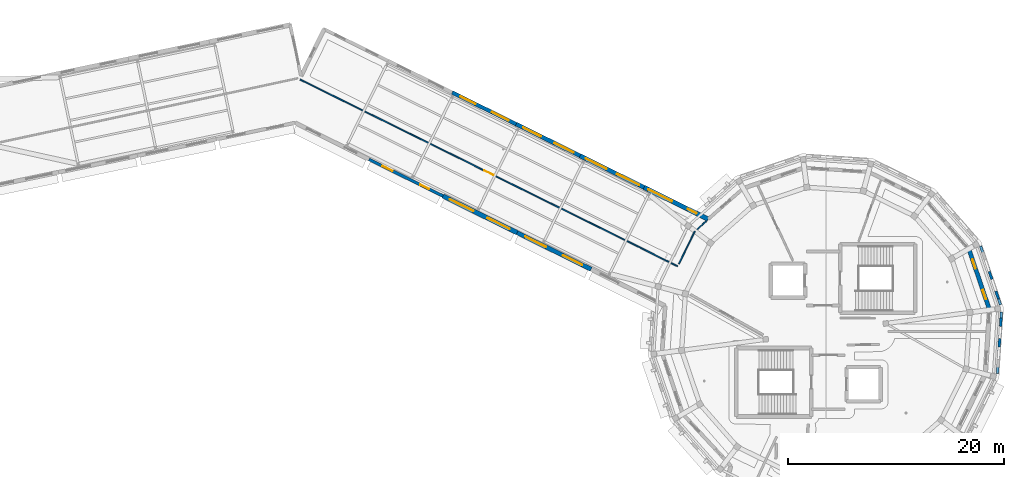
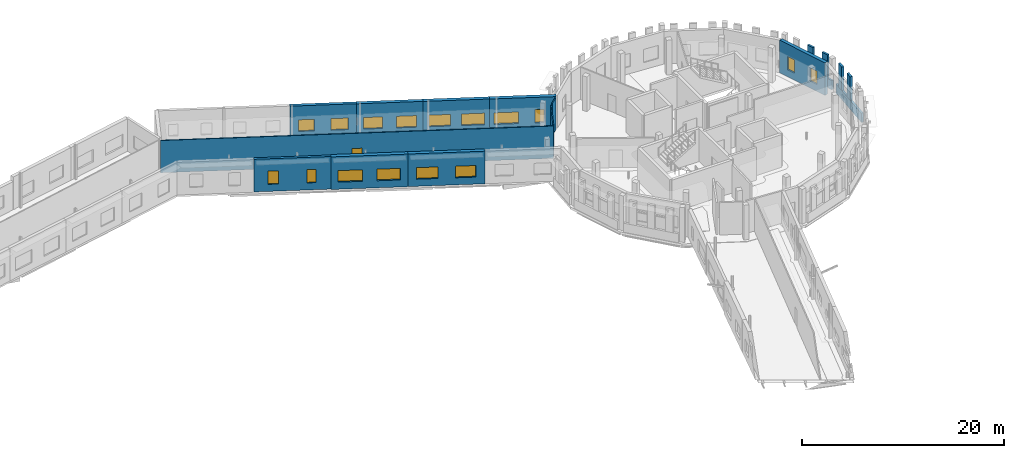
# One storey, part 70 of 90: 17 walls, 16 windows, 1 door, 17 openings.
"""IFC4 building model written with IfcOpenShell, lengths in metres."""

from ifc_helpers import new_model, si_unit, direction, frame, frame_2d, origin, place, context, subcontext, project, spatial, rectangle, extrude, material, layer, layer_set, type_object, element, fill, save


model = new_model("IFC4")

# Units and contexts
model_context = context("Model", 3, precision=1e-05, world=origin(), true_north=direction((0.0, 1.0)))
body_context = subcontext(model_context, "Body", "Model", "MODEL_VIEW")
ifc_project = project(units=[si_unit("LENGTHUNIT", "METRE"), si_unit("AREAUNIT", "SQUARE_METRE"), si_unit("VOLUMEUNIT", "CUBIC_METRE"), si_unit("PLANEANGLEUNIT", "RADIAN"), si_unit("MASSUNIT", "GRAM", prefix="KILO")], contexts=[model_context])

# Site, building, storey
site_placement = place(None, origin())
site = spatial("IfcSite", under=ifc_project, at=site_placement, CompositionType="ELEMENT")
building_placement = place(site_placement, origin())
building = spatial("IfcBuilding", under=site, at=building_placement, Name="Wrenclough Park School", CompositionType="ELEMENT")
storey_placement = place(building_placement, frame((0.0, 0.0, 8.39990234375)))
storey = spatial("IfcBuildingStorey", under=building, at=storey_placement, Name="L02", CompositionType="ELEMENT", Elevation=8.39990234375)

# Walls
ifc_material_1 = material(Name="Perforated open-bond Staffordshire and Manchester brick screen pier", Category="masonry")
ifc_layer_1 = layer(ifc_material_1, 0.2451171875)
ifc_layer_set_1 = layer_set([ifc_layer_1], Name="Perforated open-bond Staffordshire and Manchester brick screen pier")
wall_type_1 = type_object("IfcWallType", Name="ENV-BS-PR245", PredefinedType="ELEMENTEDWALL", material=ifc_layer_set_1)
wall_1_placement = place(storey_placement, frame((190.48291015625, 96.50634765625, 1.090087890625), z_axis=(0.0, 0.0, 1.0), x_axis=(-0.321332364617, 0.946966478525, 0.0)))
element("IfcWall", 1, at=wall_1_placement, inside=storey, type_object=wall_type_1, Name="D5 L02 perforated brick screen pier 0586", PredefinedType="ELEMENTEDWALL", context=body_context, shape_type="SweptSolid", body=[
    extrude(rectangle(XDim=0.759765625, YDim=0.2451171875, at=frame_2d((0.3798828125, 0.0))), origin(), (0.0, 0.0, 1.0), 2.85009765625),
])
for number, where, z_axis, x_axis, name in (
    (2, (189.86865234375, 98.315673828125, 1.090087890625), (0.0, 0.0, 1.0), (-0.32123461411, 0.946999642396, 0.0), "D5 L02 perforated brick screen pier 0587"),
    (3, (190.541748046875, 92.06787109375, 1.090087890625), (0.0, 0.0, 1.0), (0.065538124105, 0.997850066036, 0.0), "D5 L02 perforated brick screen pier 0621"),
    (4, (190.666748046875, 93.974609375, 1.090087890625), (0.0, 0.0, 1.0), (0.065538124105, 0.997850066036, 0.0), "D5 L02 perforated brick screen pier 0622"),
):
    element("IfcWall", number, at=place(storey_placement, frame(where, z_axis=z_axis, x_axis=x_axis)), inside=storey, type_object=wall_type_1, Name=name, PredefinedType="ELEMENTEDWALL", context=body_context, shape_type="SweptSolid", body=[
        extrude(rectangle(XDim=0.760009765625, YDim=0.2451171875, at=frame_2d((0.3798828125, 0.0))), origin(), (0.0, 0.0, 1.0), 2.85009765625),
    ])
ifc_material_2 = material(Name="Open-bond Manchester multi-stock brick spandrel screen", Category="masonry")
ifc_layer_2 = layer(ifc_material_2, 0.22509765625)
ifc_layer_set_2 = layer_set([ifc_layer_2], Name="Open-bond Manchester multi-stock brick spandrel screen")
wall_type_2 = type_object("IfcWallType", Name="ENV-BS-SP225", PredefinedType="ELEMENTEDWALL", material=ifc_layer_set_2)
wall_2_placement = place(storey_placement, frame((190.66796875, 95.96142578125, 0.0), z_axis=(0.0, 0.0, 1.0), x_axis=(-0.321474350277, 0.946918286925, 0.0)))
element("IfcWall", 5, at=wall_2_placement, inside=storey, type_object=wall_type_2, Name="D5 L02 open-bond brick screen spandrel 0160", PredefinedType="ELEMENTEDWALL", context=body_context, shape_type="SweptSolid", body=[
    extrude(rectangle(XDim=5.732177734375, YDim=0.22509765625, at=frame_2d((2.8662109375, 0.0))), origin(), (0.0, 0.0, 1.0), 1.090087890625),
])
wall_3_placement = place(storey_placement, frame((190.379150390625, 89.5869140625, 0.0), z_axis=(0.0, 0.0, 1.0), x_axis=(0.065416558003, 0.99785804298, 0.0)))
element("IfcWall", 6, at=wall_3_placement, inside=storey, type_object=wall_type_2, Name="D5 L02 open-bond brick screen spandrel 0172", PredefinedType="ELEMENTEDWALL", context=body_context, shape_type="SweptSolid", body=[
    extrude(rectangle(XDim=5.732421875, YDim=0.22509765625, at=frame_2d((2.8662109375, 0.0))), origin(), (0.0, 0.0, 1.0), 1.090087890625),
])

# Wall, openings, windows
ifc_material_3 = material(Name="Link wing brick-faced cavity wall Concrete C32/40", Category="masonry")
ifc_layer_3 = layer(ifc_material_3, 0.27490234375)
ifc_layer_set_3 = layer_set([ifc_layer_3], Name="Link wing brick-faced cavity wall Concrete C32/40")
wall_type_3 = type_object("IfcWallType", Name="ENV-EW-275", PredefinedType="SOLIDWALL", material=ifc_layer_set_3)
wall_4_placement = place(storey_placement, frame((139.09619140625, 106.02099609375, 0.0), z_axis=(0.0, 0.0, 1.0), x_axis=(-0.896279314912, 0.44349001078, 0.0)))
wall_4 = element("IfcWall", 7, at=wall_4_placement, inside=storey, type_object=wall_type_3, Name="L02 insulated brick external wall 0150", PredefinedType="SOLIDWALL", context=body_context, shape_type="SweptSolid", body=[
    extrude(rectangle(XDim=7.639892578125, YDim=0.27490234375, at=frame_2d((3.81982421875, 0.0))), origin(), (0.0, 0.0, 1.0), 3.940185546875),
])
opening_1_placement = place(wall_4_placement, frame((1.4599609375, 0.0, 0.85009765625)))
opening_1 = element("IfcOpeningElement", 8, at=opening_1_placement, cuts=wall_4, Name="Opening WN-13", PredefinedType="OPENING", context=body_context, shape_type="SweptSolid", body=[
    extrude(rectangle(XDim=0.89990234375, YDim=1.60009765625, at=frame_2d((0.449951171875, 0.800048828125))), frame((0.0, 0.1474609375, 0.0), z_axis=(0.0, -1.0, 0.0), x_axis=(1.0, 0.0, 0.0)), (0.0, 0.0, 1.0), 0.294921875),
])
opening_2_placement = place(wall_4_placement, frame((5.204833984375, 0.0, 0.85009765625)))
opening_2 = element("IfcOpeningElement", 9, at=opening_2_placement, cuts=wall_4, Name="Opening WN-14", PredefinedType="OPENING", context=body_context, shape_type="SweptSolid", body=[
    extrude(rectangle(XDim=1.050048828125, YDim=1.60009765625, at=frame_2d((0.52490234375, 0.800048828125))), frame((0.0, 0.1474609375, 0.0), z_axis=(0.0, -1.0, 0.0), x_axis=(1.0, 0.0, 0.0)), (0.0, 0.0, 1.0), 0.294921875),
])
ifc_material_4 = material(Name="Thermally broken aluminium and double-glazed low-e glass", Category="aluminium")
window_type_1 = type_object("IfcWindowType", Name="ENV-WN-13", PartitioningType="SINGLE_PANEL", PredefinedType="WINDOW", material=ifc_material_4)
window_1_placement = place(opening_1_placement, origin())
window_1 = element("IfcWindow", 10, at=window_1_placement, inside=storey, type_object=window_type_1, Name="L02 scheduled facade window 0236", OverallHeight=1.60009765625, OverallWidth=0.89990234375, PartitioningType="SINGLE_PANEL", PredefinedType="WINDOW", context=body_context, shape_type="SweptSolid", body=[
    extrude(rectangle(XDim=0.89990234375, YDim=1.60009765625, at=frame_2d((0.449951171875, 0.800048828125))), frame((0.0, 0.030029296875, 0.0), z_axis=(0.0, -1.0, 0.0), x_axis=(1.0, 0.0, 0.0)), (0.0, 0.0, 1.0), 0.06005859375),
])
fill(opening_1, window_1)
window_type_2 = type_object("IfcWindowType", Name="ENV-WN-14", PartitioningType="SINGLE_PANEL", PredefinedType="WINDOW", material=ifc_material_4)
window_2_placement = place(opening_2_placement, origin())
window_2 = element("IfcWindow", 11, at=window_2_placement, inside=storey, type_object=window_type_2, Name="L02 scheduled facade window 0237", OverallHeight=1.60009765625, OverallWidth=1.050048828125, PartitioningType="SINGLE_PANEL", PredefinedType="WINDOW", context=body_context, shape_type="SweptSolid", body=[
    extrude(rectangle(XDim=1.050048828125, YDim=1.60009765625, at=frame_2d((0.52490234375, 0.800048828125))), frame((0.0, 0.030029296875, 0.0), z_axis=(0.0, -1.0, 0.0), x_axis=(1.0, 0.0, 0.0)), (0.0, 0.0, 1.0), 0.06005859375),
])
fill(opening_2, window_2)

ifc_material_5 = material(Name="Staffordshire blue-grey brick and Concrete C35/45 inner leaf", Category="masonry")
ifc_layer_4 = layer(ifc_material_5, 0.35009765625)
ifc_layer_set_4 = layer_set([ifc_layer_4], Name="Staffordshire blue-grey brick and Concrete C35/45 inner leaf")
wall_type_4 = type_object("IfcWallType", Name="ENV-EW-350", PredefinedType="SOLIDWALL", material=ifc_layer_set_4)
wall_5_placement = place(storey_placement, frame((139.934814453125, 115.602783203125, 0.0), z_axis=(0.0, 0.0, 1.0), x_axis=(0.896274950862, -0.443498830277, 0.0)))
wall_5 = element("IfcWall", 12, at=wall_5_placement, inside=storey, type_object=wall_type_4, Name="L02 insulated brick external wall 0178", PredefinedType="SOLIDWALL", context=body_context, shape_type="SweptSolid", body=[
    extrude(rectangle(XDim=6.605224609375, YDim=0.35009765625, at=frame_2d((3.302734375, 0.0))), origin(), (0.0, 0.0, 1.0), 3.940185546875),
])
opening_3_placement = place(wall_5_placement, frame((0.87646484375, 0.0, 0.85009765625)))
opening_3 = element("IfcOpeningElement", 13, at=opening_3_placement, cuts=wall_5, Name="Opening WN-06", PredefinedType="OPENING", context=body_context, shape_type="SweptSolid", body=[
    extrude(rectangle(XDim=1.550048828125, YDim=1.39990234375, at=frame_2d((0.77490234375, 0.699951171875))), frame((0.0, 0.18505859375, 0.0), z_axis=(0.0, -1.0, 0.0), x_axis=(1.0, 0.0, 0.0)), (0.0, 0.0, 1.0), 0.3701171875),
])
opening_4_placement = place(wall_5_placement, frame((4.10400390625, 0.0, 0.85009765625)))
opening_4 = element("IfcOpeningElement", 14, at=opening_4_placement, cuts=wall_5, Name="Opening WN-07", PredefinedType="OPENING", context=body_context, shape_type="SweptSolid", body=[
    extrude(rectangle(XDim=1.699951171875, YDim=1.39990234375, at=frame_2d((0.85009765625, 0.699951171875))), frame((0.0, 0.18505859375, 0.0), z_axis=(0.0, -1.0, 0.0), x_axis=(1.0, 0.0, 0.0)), (0.0, 0.0, 1.0), 0.3701171875),
])
window_type_3 = type_object("IfcWindowType", Name="ENV-WN-06", PartitioningType="DOUBLE_PANEL_VERTICAL", PredefinedType="WINDOW", material=ifc_material_4)
window_3_placement = place(opening_3_placement, origin())
window_3 = element("IfcWindow", 15, at=window_3_placement, inside=storey, type_object=window_type_3, Name="L02 scheduled facade window 0285", OverallHeight=1.39990234375, OverallWidth=1.550048828125, PartitioningType="SINGLE_PANEL", PredefinedType="WINDOW", context=body_context, shape_type="SweptSolid", body=[
    extrude(rectangle(XDim=1.550048828125, YDim=1.39990234375, at=frame_2d((0.77490234375, 0.699951171875))), frame((0.0, 0.030029296875, 0.0), z_axis=(0.0, -1.0, 0.0), x_axis=(1.0, 0.0, 0.0)), (0.0, 0.0, 1.0), 0.06005859375),
])
fill(opening_3, window_3)
window_type_4 = type_object("IfcWindowType", Name="ENV-WN-07", PartitioningType="DOUBLE_PANEL_VERTICAL", PredefinedType="WINDOW", material=ifc_material_4)
window_4_placement = place(opening_4_placement, origin())
window_4 = element("IfcWindow", 16, at=window_4_placement, inside=storey, type_object=window_type_4, Name="L02 scheduled facade window 0286", OverallHeight=1.39990234375, OverallWidth=1.699951171875, PartitioningType="SINGLE_PANEL", PredefinedType="WINDOW", context=body_context, shape_type="SweptSolid", body=[
    extrude(rectangle(XDim=1.699951171875, YDim=1.39990234375, at=frame_2d((0.85009765625, 0.699951171875))), frame((0.0, 0.030029296875, 0.0), z_axis=(0.0, -1.0, 0.0), x_axis=(1.0, 0.0, 0.0)), (0.0, 0.0, 1.0), 0.06005859375),
])
fill(opening_4, window_4)

ifc_material_6 = material(Name="Manchester multi-stock brick and Concrete C35/45 inner leaf", Category="masonry")
ifc_layer_5 = layer(ifc_material_6, 0.3798828125)
ifc_layer_set_5 = layer_set([ifc_layer_5], Name="Manchester multi-stock brick and Concrete C35/45 inner leaf")
wall_type_5 = type_object("IfcWallType", Name="ENV-EW-380", PredefinedType="SOLIDWALL", material=ifc_layer_set_5)
wall_6_placement = place(storey_placement, frame((145.85498046875, 112.67333984375, 0.0), z_axis=(0.0, 0.0, 1.0), x_axis=(0.896267529062, -0.443513828814, 0.0)))
wall_6 = element("IfcWall", 17, at=wall_6_placement, inside=storey, type_object=wall_type_5, Name="L02 insulated brick external wall 0179", PredefinedType="SOLIDWALL", context=body_context, shape_type="SweptSolid", body=[
    extrude(rectangle(XDim=6.605712890625, YDim=0.3798828125, at=frame_2d((3.302734375, 0.0))), origin(), (0.0, 0.0, 1.0), 3.940185546875),
])
opening_5_placement = place(wall_6_placement, frame((0.726318359375, 0.0, 0.85009765625)))
opening_5 = element("IfcOpeningElement", 18, at=opening_5_placement, cuts=wall_6, Name="Opening WN-08", PredefinedType="OPENING", context=body_context, shape_type="SweptSolid", body=[
    extrude(rectangle(XDim=1.85009765625, YDim=1.39990234375, at=frame_2d((0.925048828125, 0.699951171875))), frame((0.0, 0.199951171875, 0.0), z_axis=(0.0, -1.0, 0.0), x_axis=(1.0, 0.0, 0.0)), (0.0, 0.0, 1.0), 0.39990234375),
])
opening_6_placement = place(wall_6_placement, frame((3.9541015625, 0.0, 0.85009765625)))
opening_6 = element("IfcOpeningElement", 19, at=opening_6_placement, cuts=wall_6, Name="Opening WN-09", PredefinedType="OPENING", context=body_context, shape_type="SweptSolid", body=[
    extrude(rectangle(XDim=2.0, YDim=1.39990234375, at=frame_2d((1.0, 0.699951171875))), frame((0.0, 0.199951171875, 0.0), z_axis=(0.0, -1.0, 0.0), x_axis=(1.0, 0.0, 0.0)), (0.0, 0.0, 1.0), 0.39990234375),
])
window_type_5 = type_object("IfcWindowType", Name="ENV-WN-08", PartitioningType="DOUBLE_PANEL_VERTICAL", PredefinedType="WINDOW", material=ifc_material_4)
window_5_placement = place(opening_5_placement, origin())
window_5 = element("IfcWindow", 20, at=window_5_placement, inside=storey, type_object=window_type_5, Name="L02 scheduled facade window 0287", OverallHeight=1.39990234375, OverallWidth=1.85009765625, PartitioningType="SINGLE_PANEL", PredefinedType="WINDOW", context=body_context, shape_type="SweptSolid", body=[
    extrude(rectangle(XDim=1.85009765625, YDim=1.39990234375, at=frame_2d((0.925048828125, 0.699951171875))), frame((0.0, 0.030029296875, 0.0), z_axis=(0.0, -1.0, 0.0), x_axis=(1.0, 0.0, 0.0)), (0.0, 0.0, 1.0), 0.06005859375),
])
fill(opening_5, window_5)
window_type_6 = type_object("IfcWindowType", Name="ENV-WN-09", PartitioningType="DOUBLE_PANEL_VERTICAL", PredefinedType="WINDOW", material=ifc_material_4)
window_6_placement = place(opening_6_placement, origin())
window_6 = element("IfcWindow", 21, at=window_6_placement, inside=storey, type_object=window_type_6, Name="L02 scheduled facade window 0288", OverallHeight=1.39990234375, OverallWidth=2.0, PartitioningType="SINGLE_PANEL", PredefinedType="WINDOW", context=body_context, shape_type="SweptSolid", body=[
    extrude(rectangle(XDim=2.0, YDim=1.39990234375, at=frame_2d((1.0, 0.699951171875))), frame((0.0, 0.030029296875, 0.0), z_axis=(0.0, -1.0, 0.0), x_axis=(1.0, 0.0, 0.0)), (0.0, 0.0, 1.0), 0.06005859375),
])
fill(opening_6, window_6)

wall_7_placement = place(storey_placement, frame((187.73095703125, 101.138916015625, 0.0), z_axis=(0.0, 0.0, 1.0), x_axis=(0.321420298269, -0.94693663561, 0.0)))
wall_7 = element("IfcWall", 22, at=wall_7_placement, inside=storey, type_object=wall_type_5, Name="L02 insulated brick external wall 0187", PredefinedType="SOLIDWALL", context=body_context, shape_type="SweptSolid", body=[
    extrude(rectangle(XDim=5.961181640625, YDim=0.3798828125, at=frame_2d((2.98046875, 0.0))), origin(), (0.0, 0.0, 1.0), 3.940185546875),
])
opening_7_placement = place(wall_7_placement, frame((1.040283203125, 0.0, 0.85009765625)))
opening_7 = element("IfcOpeningElement", 23, at=opening_7_placement, cuts=wall_7, Name="Opening WN-13", PredefinedType="OPENING", context=body_context, shape_type="SweptSolid", body=[
    extrude(rectangle(XDim=0.89990234375, YDim=1.60009765625, at=frame_2d((0.449951171875, 0.800048828125))), frame((0.0, 0.199951171875, 0.0), z_axis=(0.0, -1.0, 0.0), x_axis=(1.0, 0.0, 0.0)), (0.0, 0.0, 1.0), 0.39990234375),
])
opening_8_placement = place(wall_7_placement, frame((4.02099609375, 0.0, 0.85009765625)))
opening_8 = element("IfcOpeningElement", 24, at=opening_8_placement, cuts=wall_7, Name="Opening WN-13", PredefinedType="OPENING", context=body_context, shape_type="SweptSolid", body=[
    extrude(rectangle(XDim=0.89990234375, YDim=1.60009765625, at=frame_2d((0.449951171875, 0.800048828125))), frame((0.0, 0.199951171875, 0.0), z_axis=(0.0, -1.0, 0.0), x_axis=(1.0, 0.0, 0.0)), (0.0, 0.0, 1.0), 0.39990234375),
])
window_7_placement = place(opening_7_placement, origin())
window_7 = element("IfcWindow", 25, at=window_7_placement, inside=storey, type_object=window_type_1, Name="L02 scheduled facade window 0302", OverallHeight=1.60009765625, OverallWidth=0.89990234375, PartitioningType="SINGLE_PANEL", PredefinedType="WINDOW", context=body_context, shape_type="SweptSolid", body=[
    extrude(rectangle(XDim=0.89990234375, YDim=1.60009765625, at=frame_2d((0.449951171875, 0.800048828125))), frame((0.0, 0.030029296875, 0.0), z_axis=(0.0, -1.0, 0.0), x_axis=(1.0, 0.0, 0.0)), (0.0, 0.0, 1.0), 0.06005859375),
])
fill(opening_7, window_7)
window_8_placement = place(opening_8_placement, origin())
window_8 = element("IfcWindow", 26, at=window_8_placement, inside=storey, type_object=window_type_1, Name="L02 scheduled facade window 0303", OverallHeight=1.60009765625, OverallWidth=0.89990234375, PartitioningType="SINGLE_PANEL", PredefinedType="WINDOW", context=body_context, shape_type="SweptSolid", body=[
    extrude(rectangle(XDim=0.89990234375, YDim=1.60009765625, at=frame_2d((0.449951171875, 0.800048828125))), frame((0.0, 0.030029296875, 0.0), z_axis=(0.0, -1.0, 0.0), x_axis=(1.0, 0.0, 0.0)), (0.0, 0.0, 1.0), 0.06005859375),
])
fill(opening_8, window_8)

ifc_material_7 = material(Name="Staffordshire blue-grey brick and Concrete C40/50 acoustic leaf", Category="masonry")
ifc_layer_6 = layer(ifc_material_7, 0.39990234375)
ifc_layer_set_6 = layer_set([ifc_layer_6], Name="Staffordshire blue-grey brick and Concrete C40/50 acoustic leaf")
wall_type_6 = type_object("IfcWallType", Name="ENV-EW-400", PredefinedType="SOLIDWALL", material=ifc_layer_set_6)
wall_8_placement = place(storey_placement, frame((152.790771484375, 99.244384765625, 0.0), z_axis=(0.0, 0.0, 1.0), x_axis=(-0.896273029361, 0.443502713452, 0.0)))
wall_8 = element("IfcWall", 27, at=wall_8_placement, inside=storey, type_object=wall_type_6, Name="L02 insulated brick external wall 0148", PredefinedType="SOLIDWALL", context=body_context, shape_type="SweptSolid", body=[
    extrude(rectangle(XDim=7.6396484375, YDim=0.39990234375, at=frame_2d((3.81982421875, 0.0))), origin(), (0.0, 0.0, 1.0), 3.940185546875),
])
opening_9_placement = place(wall_8_placement, frame((0.909912109375, 0.0, 0.85009765625)))
opening_9 = element("IfcOpeningElement", 28, at=opening_9_placement, cuts=wall_8, Name="Opening WN-09", PredefinedType="OPENING", context=body_context, shape_type="SweptSolid", body=[
    extrude(rectangle(XDim=2.0, YDim=1.39990234375, at=frame_2d((1.0, 0.699951171875))), frame((0.0, 0.2099609375, 0.0), z_axis=(0.0, -1.0, 0.0), x_axis=(1.0, 0.0, 0.0)), (0.0, 0.0, 1.0), 0.419921875),
])
opening_10_placement = place(wall_8_placement, frame((4.65478515625, 0.0, 0.85009765625)))
opening_10 = element("IfcOpeningElement", 29, at=opening_10_placement, cuts=wall_8, Name="Opening WN-10", PredefinedType="OPENING", context=body_context, shape_type="SweptSolid", body=[
    extrude(rectangle(XDim=2.14990234375, YDim=1.39990234375, at=frame_2d((1.074951171875, 0.699951171875))), frame((0.0, 0.2099609375, 0.0), z_axis=(0.0, -1.0, 0.0), x_axis=(1.0, 0.0, 0.0)), (0.0, 0.0, 1.0), 0.419921875),
])
window_9_placement = place(opening_9_placement, origin())
window_9 = element("IfcWindow", 30, at=window_9_placement, inside=storey, type_object=window_type_6, Name="L02 scheduled facade window 0232", OverallHeight=1.39990234375, OverallWidth=2.0, PartitioningType="SINGLE_PANEL", PredefinedType="WINDOW", context=body_context, shape_type="SweptSolid", body=[
    extrude(rectangle(XDim=2.0, YDim=1.39990234375, at=frame_2d((1.0, 0.699951171875))), frame((0.0, 0.030029296875, 0.0), z_axis=(0.0, -1.0, 0.0), x_axis=(1.0, 0.0, 0.0)), (0.0, 0.0, 1.0), 0.06005859375),
])
fill(opening_9, window_9)
window_type_7 = type_object("IfcWindowType", Name="ENV-WN-10", PartitioningType="DOUBLE_PANEL_VERTICAL", PredefinedType="WINDOW", material=ifc_material_4)
window_10_placement = place(opening_10_placement, origin())
window_10 = element("IfcWindow", 31, at=window_10_placement, inside=storey, type_object=window_type_7, Name="L02 scheduled facade window 0233", OverallHeight=1.39990234375, OverallWidth=2.14990234375, PartitioningType="SINGLE_PANEL", PredefinedType="WINDOW", context=body_context, shape_type="SweptSolid", body=[
    extrude(rectangle(XDim=2.14990234375, YDim=1.39990234375, at=frame_2d((1.074951171875, 0.699951171875))), frame((0.0, 0.030029296875, 0.0), z_axis=(0.0, -1.0, 0.0), x_axis=(1.0, 0.0, 0.0)), (0.0, 0.0, 1.0), 0.06005859375),
])
fill(opening_10, window_10)

wall_9_placement = place(storey_placement, frame((151.775390625, 109.74365234375, 0.0), z_axis=(0.0, 0.0, 1.0), x_axis=(0.896274950862, -0.443498830277, 0.0)))
wall_9 = element("IfcWall", 32, at=wall_9_placement, inside=storey, type_object=wall_type_6, Name="L02 insulated brick external wall 0180", PredefinedType="SOLIDWALL", context=body_context, shape_type="SweptSolid", body=[
    extrude(rectangle(XDim=6.605224609375, YDim=0.39990234375, at=frame_2d((3.302734375, 0.0))), origin(), (0.0, 0.0, 1.0), 3.940185546875),
])
opening_11_placement = place(wall_9_placement, frame((0.576416015625, 0.0, 0.85009765625)))
opening_11 = element("IfcOpeningElement", 33, at=opening_11_placement, cuts=wall_9, Name="Opening WN-10", PredefinedType="OPENING", context=body_context, shape_type="SweptSolid", body=[
    extrude(rectangle(XDim=2.14990234375, YDim=1.39990234375, at=frame_2d((1.074951171875, 0.699951171875))), frame((0.0, 0.2099609375, 0.0), z_axis=(0.0, -1.0, 0.0), x_axis=(1.0, 0.0, 0.0)), (0.0, 0.0, 1.0), 0.419921875),
])
opening_12_placement = place(wall_9_placement, frame((3.803955078125, 0.0, 0.85009765625)))
opening_12 = element("IfcOpeningElement", 34, at=opening_12_placement, cuts=wall_9, Name="Opening WN-11", PredefinedType="OPENING", context=body_context, shape_type="SweptSolid", body=[
    extrude(rectangle(XDim=2.300048828125, YDim=1.39990234375, at=frame_2d((1.14990234375, 0.699951171875))), frame((0.0, 0.2099609375, 0.0), z_axis=(0.0, -1.0, 0.0), x_axis=(1.0, 0.0, 0.0)), (0.0, 0.0, 1.0), 0.419921875),
])
window_11_placement = place(opening_11_placement, origin())
window_11 = element("IfcWindow", 35, at=window_11_placement, inside=storey, type_object=window_type_7, Name="L02 scheduled facade window 0289", OverallHeight=1.39990234375, OverallWidth=2.14990234375, PartitioningType="SINGLE_PANEL", PredefinedType="WINDOW", context=body_context, shape_type="SweptSolid", body=[
    extrude(rectangle(XDim=2.14990234375, YDim=1.39990234375, at=frame_2d((1.074951171875, 0.699951171875))), frame((0.0, 0.030029296875, 0.0), z_axis=(0.0, -1.0, 0.0), x_axis=(1.0, 0.0, 0.0)), (0.0, 0.0, 1.0), 0.06005859375),
])
fill(opening_11, window_11)
window_type_8 = type_object("IfcWindowType", Name="ENV-WN-11", PartitioningType="DOUBLE_PANEL_VERTICAL", PredefinedType="WINDOW", material=ifc_material_4)
window_12_placement = place(opening_12_placement, origin())
window_12 = element("IfcWindow", 36, at=window_12_placement, inside=storey, type_object=window_type_8, Name="L02 scheduled facade window 0290", OverallHeight=1.39990234375, OverallWidth=2.300048828125, PartitioningType="SINGLE_PANEL", PredefinedType="WINDOW", context=body_context, shape_type="SweptSolid", body=[
    extrude(rectangle(XDim=2.300048828125, YDim=1.39990234375, at=frame_2d((1.14990234375, 0.699951171875))), frame((0.0, 0.030029296875, 0.0), z_axis=(0.0, -1.0, 0.0), x_axis=(1.0, 0.0, 0.0)), (0.0, 0.0, 1.0), 0.06005859375),
])
fill(opening_12, window_12)

ifc_material_8 = material(Name="Insulated brick-clad sports hall wall Concrete C40/50", Category="masonry")
ifc_layer_7 = layer(ifc_material_8, 0.425048828125)
ifc_layer_set_7 = layer_set([ifc_layer_7], Name="Insulated brick-clad sports hall wall Concrete C40/50")
wall_type_7 = type_object("IfcWallType", Name="ENV-EW-425", PredefinedType="SOLIDWALL", material=ifc_layer_set_7)
wall_10_placement = place(storey_placement, frame((145.943603515625, 102.632568359375, 0.0), z_axis=(0.0, 0.0, 1.0), x_axis=(-0.896266612371, 0.443515681289, 0.0)))
wall_10 = element("IfcWall", 37, at=wall_10_placement, inside=storey, type_object=wall_type_7, Name="L02 insulated brick external wall 0149", PredefinedType="SOLIDWALL", context=body_context, shape_type="SweptSolid", body=[
    extrude(rectangle(XDim=7.639892578125, YDim=0.425048828125, at=frame_2d((3.81982421875, 0.0))), origin(), (0.0, 0.0, 1.0), 3.940185546875),
])
opening_13_placement = place(wall_10_placement, frame((0.760009765625, 0.0, 0.85009765625)))
opening_13 = element("IfcOpeningElement", 38, at=opening_13_placement, cuts=wall_10, Name="Opening WN-11", PredefinedType="OPENING", context=body_context, shape_type="SweptSolid", body=[
    extrude(rectangle(XDim=2.300048828125, YDim=1.39990234375, at=frame_2d((1.14990234375, 0.699951171875))), frame((0.0, 0.222412109375, 0.0), z_axis=(0.0, -1.0, 0.0), x_axis=(1.0, 0.0, 0.0)), (0.0, 0.0, 1.0), 0.445068359375),
])
opening_14_placement = place(wall_10_placement, frame((4.5048828125, 0.0, 0.85009765625)))
opening_14 = element("IfcOpeningElement", 39, at=opening_14_placement, cuts=wall_10, Name="Opening WN-12", PredefinedType="OPENING", context=body_context, shape_type="SweptSolid", body=[
    extrude(rectangle(XDim=2.449951171875, YDim=1.39990234375, at=frame_2d((1.22509765625, 0.699951171875))), frame((0.0, 0.222412109375, 0.0), z_axis=(0.0, -1.0, 0.0), x_axis=(1.0, 0.0, 0.0)), (0.0, 0.0, 1.0), 0.445068359375),
])
window_13_placement = place(opening_13_placement, origin())
window_13 = element("IfcWindow", 40, at=window_13_placement, inside=storey, type_object=window_type_8, Name="L02 scheduled facade window 0234", OverallHeight=1.39990234375, OverallWidth=2.300048828125, PartitioningType="SINGLE_PANEL", PredefinedType="WINDOW", context=body_context, shape_type="SweptSolid", body=[
    extrude(rectangle(XDim=2.300048828125, YDim=1.39990234375, at=frame_2d((1.14990234375, 0.699951171875))), frame((0.0, 0.030029296875, 0.0), z_axis=(0.0, -1.0, 0.0), x_axis=(1.0, 0.0, 0.0)), (0.0, 0.0, 1.0), 0.06005859375),
])
fill(opening_13, window_13)
window_type_9 = type_object("IfcWindowType", Name="ENV-WN-12", PartitioningType="DOUBLE_PANEL_VERTICAL", PredefinedType="WINDOW", material=ifc_material_4)
window_14_placement = place(opening_14_placement, origin())
window_14 = element("IfcWindow", 41, at=window_14_placement, inside=storey, type_object=window_type_9, Name="L02 scheduled facade window 0235", OverallHeight=1.39990234375, OverallWidth=2.449951171875, PartitioningType="SINGLE_PANEL", PredefinedType="WINDOW", context=body_context, shape_type="SweptSolid", body=[
    extrude(rectangle(XDim=2.449951171875, YDim=1.39990234375, at=frame_2d((1.22509765625, 0.699951171875))), frame((0.0, 0.030029296875, 0.0), z_axis=(0.0, -1.0, 0.0), x_axis=(1.0, 0.0, 0.0)), (0.0, 0.0, 1.0), 0.06005859375),
])
fill(opening_14, window_14)

wall_11_placement = place(storey_placement, frame((157.695556640625, 106.814208984375, 0.0), z_axis=(0.0, 0.0, 1.0), x_axis=(0.896260258603, -0.443528520897, 0.0)))
wall_11 = element("IfcWall", 42, at=wall_11_placement, inside=storey, type_object=wall_type_7, Name="L02 insulated brick external wall 0181", PredefinedType="SOLIDWALL", context=body_context, shape_type="SweptSolid", body=[
    extrude(rectangle(XDim=6.60546875, YDim=0.425048828125, at=frame_2d((3.302734375, 0.0))), origin(), (0.0, 0.0, 1.0), 3.940185546875),
])
opening_15_placement = place(wall_11_placement, frame((0.426513671875, 0.0, 0.85009765625)))
opening_15 = element("IfcOpeningElement", 43, at=opening_15_placement, cuts=wall_11, Name="Opening WN-12", PredefinedType="OPENING", context=body_context, shape_type="SweptSolid", body=[
    extrude(rectangle(XDim=2.449951171875, YDim=1.39990234375, at=frame_2d((1.22509765625, 0.699951171875))), frame((0.0, 0.222412109375, 0.0), z_axis=(0.0, -1.0, 0.0), x_axis=(1.0, 0.0, 0.0)), (0.0, 0.0, 1.0), 0.445068359375),
])
opening_16_placement = place(wall_11_placement, frame((4.504150390625, 0.0, 0.85009765625)))
opening_16 = element("IfcOpeningElement", 44, at=opening_16_placement, cuts=wall_11, Name="Opening WN-13", PredefinedType="OPENING", context=body_context, shape_type="SweptSolid", body=[
    extrude(rectangle(XDim=0.89990234375, YDim=1.60009765625, at=frame_2d((0.449951171875, 0.800048828125))), frame((0.0, 0.222412109375, 0.0), z_axis=(0.0, -1.0, 0.0), x_axis=(1.0, 0.0, 0.0)), (0.0, 0.0, 1.0), 0.445068359375),
])
window_15_placement = place(opening_15_placement, origin())
window_15 = element("IfcWindow", 45, at=window_15_placement, inside=storey, type_object=window_type_9, Name="L02 scheduled facade window 0291", OverallHeight=1.39990234375, OverallWidth=2.449951171875, PartitioningType="SINGLE_PANEL", PredefinedType="WINDOW", context=body_context, shape_type="SweptSolid", body=[
    extrude(rectangle(XDim=2.449951171875, YDim=1.39990234375, at=frame_2d((1.22509765625, 0.699951171875))), frame((0.0, 0.030029296875, 0.0), z_axis=(0.0, -1.0, 0.0), x_axis=(1.0, 0.0, 0.0)), (0.0, 0.0, 1.0), 0.06005859375),
])
fill(opening_15, window_15)
window_16_placement = place(opening_16_placement, origin())
window_16 = element("IfcWindow", 46, at=window_16_placement, inside=storey, type_object=window_type_1, Name="L02 scheduled facade window 0292", OverallHeight=1.60009765625, OverallWidth=0.89990234375, PartitioningType="SINGLE_PANEL", PredefinedType="WINDOW", context=body_context, shape_type="SweptSolid", body=[
    extrude(rectangle(XDim=0.89990234375, YDim=1.60009765625, at=frame_2d((0.449951171875, 0.800048828125))), frame((0.0, 0.030029296875, 0.0), z_axis=(0.0, -1.0, 0.0), x_axis=(1.0, 0.0, 0.0)), (0.0, 0.0, 1.0), 0.06005859375),
])
fill(opening_16, window_16)

# Wall, opening, door
ifc_material_9 = material(Name="Lightweight fire-rated store partition", Category="gypsum")
ifc_layer_8 = layer(ifc_material_9, 0.110107421875)
ifc_layer_set_8 = layer_set([ifc_layer_8], Name="Lightweight fire-rated store partition")
wall_type_8 = type_object("IfcWallType", Name="INT-PW-110", PredefinedType="PARTITIONING", material=ifc_layer_set_8)
wall_12_placement = place(storey_placement, frame((125.870361328125, 116.803955078125, 0.0), z_axis=(0.0, 0.0, 1.0), x_axis=(0.896396995338, -0.443252102926, 0.0)))
wall_12 = element("IfcWall", 47, at=wall_12_placement, inside=storey, type_object=wall_type_8, Name="L02 internal partition 0407", PredefinedType="PARTITIONING", context=body_context, shape_type="SweptSolid", body=[
    extrude(rectangle(XDim=38.967529296875, YDim=0.110107421875, at=frame_2d((19.48388671875, 0.0))), origin(), (0.0, 0.0, 1.0), 3.900146484375),
])
opening_17_placement = place(wall_12_placement, frame((19.00390625, 0.0, 0.0)))
opening_17 = element("IfcOpeningElement", 48, at=opening_17_placement, cuts=wall_12, Name="Opening DR-L02-082", PredefinedType="OPENING", context=body_context, shape_type="SweptSolid", body=[
    extrude(rectangle(XDim=0.9599609375, YDim=2.080078125, at=frame_2d((0.47998046875, 1.0400390625))), frame((0.0, 0.06494140625, 0.0), z_axis=(0.0, -1.0, 0.0), x_axis=(1.0, 0.0, 0.0)), (0.0, 0.0, 1.0), 0.130126953125),
])
ifc_material_10 = material(Name="General teaching room single door assembly", Category="wood")
door_type = type_object("IfcDoorType", Name="INT-DR-CL096", OperationType="NOTDEFINED", PredefinedType="DOOR", material=ifc_material_10)
door_placement = place(opening_17_placement, origin())
door = element("IfcDoor", 49, at=door_placement, inside=storey, type_object=door_type, Name="Sixth Form Tutorial Classroom L02 door DR-L02-082", OperationType="SINGLE_SWING_LEFT", OverallHeight=2.080078125, OverallWidth=0.9599609375, PredefinedType="DOOR", context=body_context, shape_type="SweptSolid", body=[
    extrude(rectangle(XDim=0.9599609375, YDim=2.080078125, at=frame_2d((0.47998046875, 1.0400390625))), frame((0.0, 0.02490234375, 0.0), z_axis=(0.0, -1.0, 0.0), x_axis=(1.0, 0.0, 0.0)), (0.0, 0.0, 1.0), 0.050048828125),
])
fill(opening_17, door)

# Walls
wall_13_placement = place(storey_placement, frame((160.911376953125, 99.755615234375, 0.0), z_axis=(0.0, 0.0, 1.0), x_axis=(0.442578005826, 0.896730008843, 0.0)))
element("IfcWall", 50, at=wall_13_placement, inside=storey, type_object=wall_type_8, Name="L02 internal partition 0408", PredefinedType="PARTITIONING", context=body_context, shape_type="SweptSolid", body=[
    extrude(rectangle(XDim=3.35400390625, YDim=0.110107421875, at=frame_2d((1.677001953125, 0.0))), origin(), (0.0, 0.0, 1.0), 3.900146484375),
])
wall_14_placement = place(storey_placement, frame((162.582763671875, 102.92919921875, 0.0), z_axis=(0.0, 0.0, 1.0), x_axis=(0.748162084796, 0.663516009509, 0.0)))
element("IfcWall", 51, at=wall_14_placement, inside=storey, type_object=wall_type_8, Name="L02 internal partition 0409", PredefinedType="PARTITIONING", context=body_context, shape_type="SweptSolid", body=[
    extrude(rectangle(XDim=1.162353515625, YDim=0.110107421875, at=frame_2d((0.5810546875, 0.0))), origin(), (0.0, 0.0, 1.0), 3.900146484375),
])

save(model, "model.ifc")
